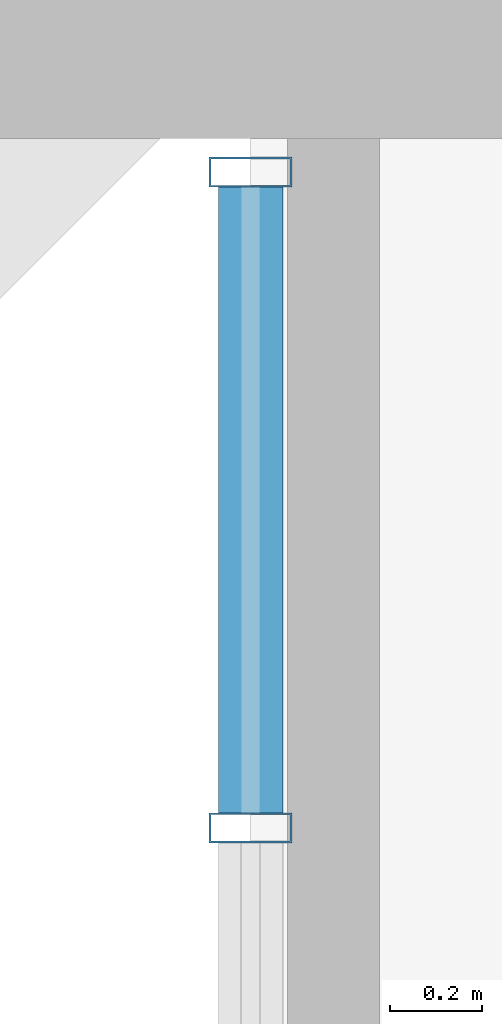
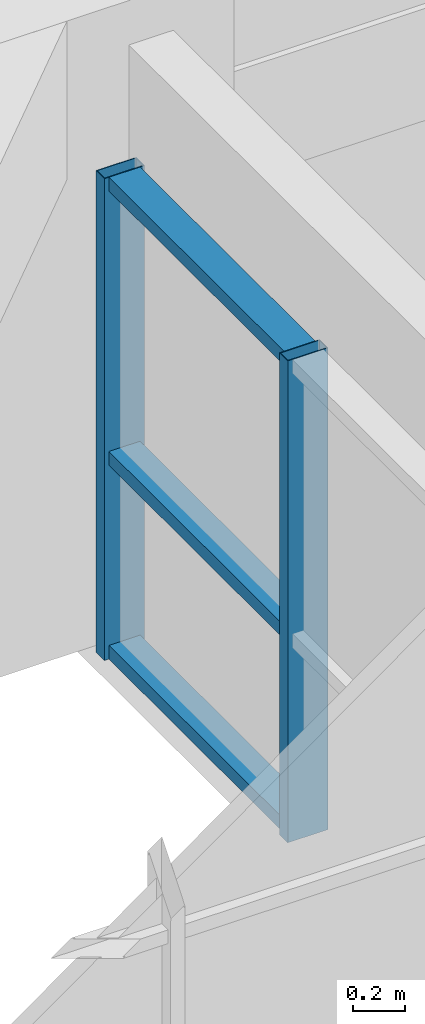
# One storey, part 8 of 27: 5 members, 1 element without a shape of its own.
"""IFC4 building model written with IfcOpenShell, lengths in metres."""

from ifc_helpers import new_model, si_unit, direction, frame, origin, origin_2d, place, context, subcontext, project, spatial, hollow_rectangle, extrude, source, transform, mapped, material, layer, layer_set, material_profile, profile_set, type_object, element, aggregate, save


model = new_model("IFC4")

# Units and contexts
model_context = context("Model", 3, precision=1e-05, world=origin(), true_north=direction((0.0, 1.0)))
body_context = subcontext(model_context, "Body", "Model", "MODEL_VIEW")
ifc_project = project(units=[si_unit("LENGTHUNIT", "METRE"), si_unit("AREAUNIT", "SQUARE_METRE"), si_unit("VOLUMEUNIT", "CUBIC_METRE"), si_unit("PLANEANGLEUNIT", "RADIAN"), si_unit("MASSUNIT", "GRAM", prefix="KILO")], contexts=[model_context])

# Site, building, storey
site_placement = place(None, origin())
site = spatial("IfcSite", under=ifc_project, at=site_placement, CompositionType="ELEMENT")
building_placement = place(site_placement, origin())
building = spatial("IfcBuilding", under=site, at=building_placement, Name="Saelheon Loggia Tower", CompositionType="ELEMENT")
storey_placement = place(building_placement, frame((0.0, 0.0, 52.39990234375)))
storey = spatial("IfcBuildingStorey", under=building, at=storey_placement, Name="L16", CompositionType="ELEMENT", Elevation=52.39990234375)

# Curtain wall, members
ifc_material_1 = material(Name="Thermal-Break Aluminium and Triple Low-E Glass", Category="aluminium")
ifc_layer = layer(ifc_material_1, 0.159912109375)
ifc_layer_set = layer_set([ifc_layer], Name="Thermal-Break Aluminium and Triple Low-E Glass")
curtain_wall_type = type_object("IfcCurtainWallType", Name="CW_TowerLoggiaLow", PredefinedType="NOTDEFINED", material=ifc_layer_set)
curtain_wall_placement = place(storey_placement, origin())
curtain_wall = element("IfcCurtainWall", 1, at=curtain_wall_placement, inside=storey, type_object=curtain_wall_type, Name="L16 Corner Notch Glazing NW1", PredefinedType="NOTDEFINED")
ifc_material_2 = material(Name="Anodised Aluminium 6063-T6", Category="aluminium")
ifc_material_profile_1 = material_profile(ifc_material_2, hollow_rectangle(XDim=0.06494140625, YDim=0.179931640625, WallThickness=0.00390625, at=origin_2d()), Name="RHS-180x65x4")
ifc_profile_set_1 = profile_set([ifc_material_profile_1], Name="Anodised Aluminium 6063-T6")
member_type_1 = type_object("IfcMemberType", Name="CW_TowerLoggiaLow_Mullion", PredefinedType="MULLION", material=ifc_profile_set_1)
shared_shape_1 = source(origin(), body_context, "Body", "SweptSolid", [
    extrude(hollow_rectangle(XDim=0.06494140625, YDim=0.179931640625, WallThickness=0.00390625, at=origin_2d()), origin(), (0.0, 0.0, 1.0), 2.280029296875),
])
member_1_placement = place(storey_placement, frame((15.5, 48.955078125, 0.0), z_axis=(0.0, 0.0, 1.0), x_axis=(0.0, 1.0, 0.0)))
member_1 = element("IfcMember", 2, at=member_1_placement, type_object=member_type_1, Name="CW3 mullion 2", PredefinedType="MULLION", context=body_context, shape_type="MappedRepresentation", body=[
    mapped(shared_shape_1, transform((0.0, 0.0, 0.0), scale=1.0)),
])
member_2_placement = place(storey_placement, frame((15.5, 50.37744140625, 0.0), z_axis=(0.0, 0.0, 1.0), x_axis=(0.0, 1.0, 0.0)))
member_2 = element("IfcMember", 3, at=member_2_placement, type_object=member_type_1, Name="CW3 mullion 3", PredefinedType="MULLION", context=body_context, shape_type="MappedRepresentation", body=[
    mapped(shared_shape_1, transform((0.0, 0.0, 0.0), scale=1.0)),
])
ifc_material_profile_2 = material_profile(ifc_material_2, hollow_rectangle(XDim=0.06494140625, YDim=0.139892578125, WallThickness=0.00390625, at=origin_2d()), Name="RHS-140x65x4")
ifc_profile_set_2 = profile_set([ifc_material_profile_2], Name="Anodised Aluminium 6063-T6")
member_type_2 = type_object("IfcMemberType", Name="CW_TowerLoggiaLow_Transom", PredefinedType="USERDEFINED", material=ifc_profile_set_2)
shared_shape_2 = source(origin(), body_context, "Body", "SweptSolid", [
    extrude(hollow_rectangle(XDim=0.06494140625, YDim=0.139892578125, WallThickness=0.00390625, at=origin_2d()), origin(), (0.0, 0.0, 1.0), 1.357421875),
])
member_3_placement = place(storey_placement, frame((15.5, 48.987548828125, 0.03271484375), z_axis=(0.0, 1.0, 0.0), x_axis=(0.0, 0.0, 1.0)))
member_3 = element("IfcMember", 4, at=member_3_placement, type_object=member_type_2, Name="CW3 transom 2.1", ObjectType="TRANSOM", PredefinedType="USERDEFINED", context=body_context, shape_type="MappedRepresentation", body=[
    mapped(shared_shape_2, transform((0.0, 0.0, 0.0), scale=1.0)),
])
member_4_placement = place(storey_placement, frame((15.5, 48.987548828125, 0.9501953125), z_axis=(0.0, 1.0, 0.0), x_axis=(0.0, 0.0, 1.0)))
member_4 = element("IfcMember", 5, at=member_4_placement, type_object=member_type_2, Name="CW3 transom 2.2", ObjectType="TRANSOM", PredefinedType="USERDEFINED", context=body_context, shape_type="MappedRepresentation", body=[
    mapped(shared_shape_2, transform((0.0, 0.0, 0.0), scale=1.0)),
])
member_5_placement = place(storey_placement, frame((15.5, 48.987548828125, 2.24755859375), z_axis=(0.0, 1.0, 0.0), x_axis=(0.0, 0.0, 1.0)))
member_5 = element("IfcMember", 6, at=member_5_placement, type_object=member_type_2, Name="CW3 transom 2.3", ObjectType="TRANSOM", PredefinedType="USERDEFINED", context=body_context, shape_type="MappedRepresentation", body=[
    mapped(shared_shape_2, transform((0.0, 0.0, 0.0), scale=1.0)),
])
aggregate(curtain_wall, [member_1, member_2, member_3, member_4, member_5])

save(model, "model.ifc")
